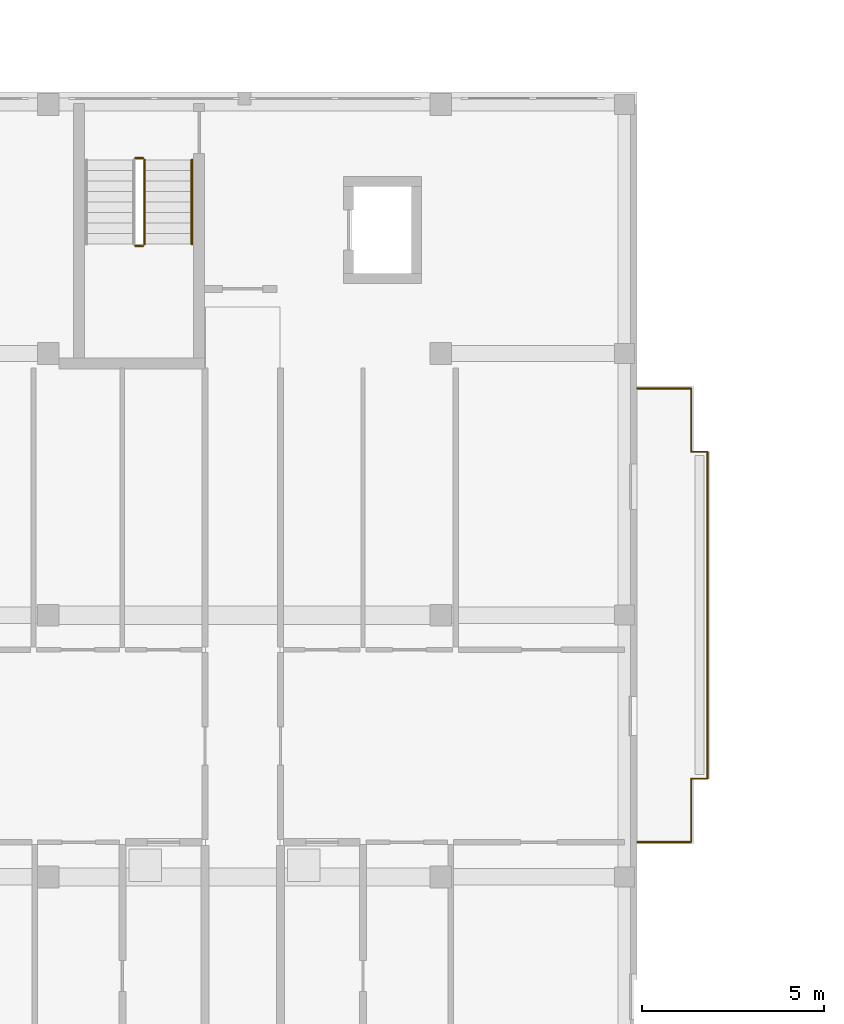
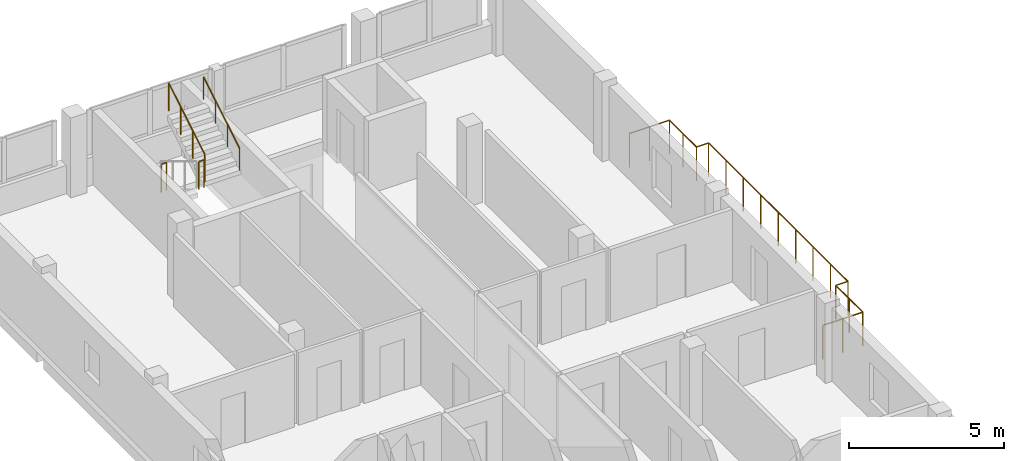
# One storey, part 31 of 41: 5 railings.
"""IFC4 building model written with IfcOpenShell, lengths in metres."""

from ifc_helpers import new_model, si_unit, derived_unit, direction, frame, origin, origin_2d, place, context, subcontext, project, spatial, circle, extrude, material, type_object, element, save


model = new_model("IFC4")

# Units and contexts
model_context = context("Model", 3, precision=1e-05, world=origin(), true_north=direction((0.0, 1.0)))
body_context = subcontext(model_context, "Body", "Model", "MODEL_VIEW")
ifc_project = project(units=[si_unit("LENGTHUNIT", "METRE"), si_unit("AREAUNIT", "SQUARE_METRE"), si_unit("VOLUMEUNIT", "CUBIC_METRE"), si_unit("PLANEANGLEUNIT", "RADIAN"), si_unit("MASSUNIT", "GRAM", prefix="KILO"), derived_unit("THERMALTRANSMITTANCEUNIT", [(si_unit("MASSUNIT", "GRAM", prefix="KILO"), 1), (si_unit("TIMEUNIT", "SECOND"), -3), (si_unit("THERMODYNAMICTEMPERATUREUNIT", "KELVIN"), -1)])], contexts=[model_context])

# Site, building, storey
site_placement = place(None, origin())
site = spatial("IfcSite", under=ifc_project, at=site_placement, CompositionType="ELEMENT")
building_placement = place(site_placement, origin())
building = spatial("IfcBuilding", under=site, at=building_placement, Name="Ochrekiln Boulevard Commons", CompositionType="ELEMENT")
storey_placement = place(building_placement, frame((0.0, 0.0, 21.52490234375)))
storey = spatial("IfcBuildingStorey", under=building, at=storey_placement, Name="L06", CompositionType="ELEMENT", Elevation=21.52490234375)

# Railings
ifc_material_1 = material(Name="Bronze-anodized extruded aluminium 6063-T6", Category="aluminium")
railing_type_1 = type_object("IfcRailingType", Name="RLG-BAL-1350", PredefinedType="BALUSTRADE", material=ifc_material_1)
railing_1_placement = place(storey_placement, frame((21.60009765625, 29.760009765625, 0.0)))
element("IfcRailing", 1, at=railing_1_placement, inside=storey, type_object=railing_type_1, Name="Block D L06 Balcony Guard Balustrade 2", PredefinedType="BALUSTRADE", context=body_context, shape_type="SweptSolid", body=[
    extrude(circle(Radius=0.02392578125, at=origin_2d()), frame((0.0, 0.0, 1.326171875), z_axis=(1.0, 0.0, 0.0), x_axis=(0.0, 1.0, 0.0)), (0.0, 0.0, 1.0), 1.489990234375),
    extrude(circle(Radius=0.02392578125, at=origin_2d()), frame((1.489990234375, 0.0, 1.326171875), z_axis=(0.0, 1.0, 0.0), x_axis=(-1.0, 0.0, 0.0)), (0.0, 0.0, 1.0), 1.739990234375),
    extrude(circle(Radius=0.02392578125, at=origin_2d()), frame((1.489990234375, 1.739990234375, 1.326171875), z_axis=(1.0, 0.0, 0.0), x_axis=(0.0, 1.0, 0.0)), (0.0, 0.0, 1.0), 0.449951171875),
    extrude(circle(Radius=0.02392578125, at=origin_2d()), frame((1.93994140625, 1.739990234375, 1.326171875), z_axis=(0.0, 1.0, 0.0), x_axis=(-1.0, 0.0, 0.0)), (0.0, 0.0, 1.0), 9.0),
    extrude(circle(Radius=0.02392578125, at=origin_2d()), frame((1.93994140625, 10.739990234375, 1.326171875), z_axis=(-1.0, 0.0, 0.0), x_axis=(0.0, -1.0, 0.0)), (0.0, 0.0, 1.0), 0.449951171875),
    extrude(circle(Radius=0.02392578125, at=origin_2d()), frame((1.489990234375, 10.739990234375, 1.326171875), z_axis=(0.0, 1.0, 0.0), x_axis=(-1.0, 0.0, 0.0)), (0.0, 0.0, 1.0), 1.739990234375),
    extrude(circle(Radius=0.02392578125, at=origin_2d()), frame((1.489990234375, 12.47998046875, 1.326171875), z_axis=(-1.0, 0.0, 0.0), x_axis=(0.0, -1.0, 0.0)), (0.0, 0.0, 1.0), 1.489990234375),
    extrude(circle(Radius=0.02099609375, at=origin_2d()), origin(), (0.0, 0.0, 1.0), 1.302001953125),
    extrude(circle(Radius=0.02099609375, at=origin_2d()), frame((0.7451171875, 0.0, 0.0)), (0.0, 0.0, 1.0), 1.302001953125),
    extrude(circle(Radius=0.02099609375, at=origin_2d()), frame((1.489990234375, 0.0, 0.0)), (0.0, 0.0, 1.0), 1.302001953125),
    extrude(circle(Radius=0.02099609375, at=origin_2d()), frame((1.489990234375, 0.8701171875, 0.0)), (0.0, 0.0, 1.0), 1.302001953125),
    extrude(circle(Radius=0.02099609375, at=origin_2d()), frame((1.489990234375, 1.739990234375, 0.0)), (0.0, 0.0, 1.0), 1.302001953125),
    extrude(circle(Radius=0.02099609375, at=origin_2d()), frame((1.93994140625, 1.739990234375, 0.0)), (0.0, 0.0, 1.0), 1.302001953125),
    extrude(circle(Radius=0.02099609375, at=origin_2d()), frame((1.93994140625, 2.864990234375, 0.0)), (0.0, 0.0, 1.0), 1.302001953125),
    extrude(circle(Radius=0.02099609375, at=origin_2d()), frame((1.93994140625, 3.989990234375, 0.0)), (0.0, 0.0, 1.0), 1.302001953125),
    extrude(circle(Radius=0.02099609375, at=origin_2d()), frame((1.93994140625, 5.114990234375, 0.0)), (0.0, 0.0, 1.0), 1.302001953125),
    extrude(circle(Radius=0.02099609375, at=origin_2d()), frame((1.93994140625, 6.239990234375, 0.0)), (0.0, 0.0, 1.0), 1.302001953125),
    extrude(circle(Radius=0.02099609375, at=origin_2d()), frame((1.93994140625, 7.364990234375, 0.0)), (0.0, 0.0, 1.0), 1.302001953125),
    extrude(circle(Radius=0.02099609375, at=origin_2d()), frame((1.93994140625, 8.489990234375, 0.0)), (0.0, 0.0, 1.0), 1.302001953125),
    extrude(circle(Radius=0.02099609375, at=origin_2d()), frame((1.93994140625, 9.614990234375, 0.0)), (0.0, 0.0, 1.0), 1.302001953125),
    extrude(circle(Radius=0.02099609375, at=origin_2d()), frame((1.93994140625, 10.739990234375, 0.0)), (0.0, 0.0, 1.0), 1.302001953125),
    extrude(circle(Radius=0.02099609375, at=origin_2d()), frame((1.489990234375, 10.739990234375, 0.0)), (0.0, 0.0, 1.0), 1.302001953125),
    extrude(circle(Radius=0.02099609375, at=origin_2d()), frame((1.489990234375, 11.60986328125, 0.0)), (0.0, 0.0, 1.0), 1.302001953125),
    extrude(circle(Radius=0.02099609375, at=origin_2d()), frame((1.489990234375, 12.47998046875, 0.0)), (0.0, 0.0, 1.0), 1.302001953125),
    extrude(circle(Radius=0.02099609375, at=origin_2d()), frame((0.7451171875, 12.47998046875, 0.0)), (0.0, 0.0, 1.0), 1.302001953125),
    extrude(circle(Radius=0.02099609375, at=origin_2d()), frame((0.0, 12.47998046875, 0.0)), (0.0, 0.0, 1.0), 1.302001953125),
])
ifc_material_2 = material(Name="Brushed stainless steel 316 tubular railing", Category="steel")
railing_type_2 = type_object("IfcRailingType", Name="RLG-HDR-900", PredefinedType="HANDRAIL", material=ifc_material_2)
railing_2_placement = place(storey_placement, frame((9.35009765625, 46.2099609375, 1.75)))
element("IfcRailing", 2, at=railing_2_placement, inside=storey, type_object=railing_type_2, Name="L06 ST-D2 stair handrail 2", PredefinedType="HANDRAIL", context=body_context, shape_type="SweptSolid", body=[
    extrude(circle(Radius=0.02392578125, at=origin_2d()), frame((0.0, 0.0, 0.8759765625), z_axis=(0.0, 0.856170481923, 0.516693435108), x_axis=(-1.0, 0.0, 0.0)), (0.0, 0.0, 1.0), 2.709716796875),
    extrude(circle(Radius=0.02099609375, at=origin_2d()), origin(), (0.0, 0.0, 1.0), 0.851806640625),
    extrude(circle(Radius=0.02099609375, at=origin_2d()), frame((0.0, 0.7734375, 0.466796875)), (0.0, 0.0, 1.0), 0.851806640625),
    extrude(circle(Radius=0.02099609375, at=origin_2d()), frame((0.0, 1.546630859375, 0.933349609375)), (0.0, 0.0, 1.0), 0.851806640625),
    extrude(circle(Radius=0.02099609375, at=origin_2d()), frame((0.0, 2.320068359375, 1.400146484375)), (0.0, 0.0, 1.0), 0.851806640625),
])
railing_type_3 = type_object("IfcRailingType", Name="RLG-STR-1120", PredefinedType="BALUSTRADE", material=ifc_material_2)
railing_3_placement = place(storey_placement, frame((7.800048828125, 46.159912109375, 1.5751953125)))
element("IfcRailing", 3, at=railing_3_placement, inside=storey, type_object=railing_type_3, Name="L06 ST-D2 stair guard 2", PredefinedType="BALUSTRADE", context=body_context, shape_type="SweptSolid", body=[
    extrude(circle(Radius=0.02392578125, at=origin_2d()), frame((0.0, 0.0, 1.09619140625), z_axis=(1.0, 0.0, 0.0), x_axis=(0.0, 1.0, 0.0)), (0.0, 0.0, 1.0), 0.199951171875),
    extrude(circle(Radius=0.02099609375, at=origin_2d()), origin(), (0.0, 0.0, 1.0), 1.072021484375),
    extrude(circle(Radius=0.02099609375, at=origin_2d()), frame((0.199951171875, 0.0, 0.0)), (0.0, 0.0, 1.0), 1.072021484375),
])
railing_4_placement = place(storey_placement, frame((8.050048828125, 46.2099609375, 1.75)))
element("IfcRailing", 4, at=railing_4_placement, inside=storey, type_object=railing_type_3, Name="L06 ST-D2 stair guard 3", PredefinedType="BALUSTRADE", context=body_context, shape_type="SweptSolid", body=[
    extrude(circle(Radius=0.02392578125, at=origin_2d()), frame((0.0, 0.0, 1.09619140625), z_axis=(0.0, 0.856170481923, 0.516693435108), x_axis=(-1.0, 0.0, 0.0)), (0.0, 0.0, 1.0), 2.709716796875),
    extrude(circle(Radius=0.02099609375, at=origin_2d()), origin(), (0.0, 0.0, 1.0), 1.072021484375),
    extrude(circle(Radius=0.02099609375, at=origin_2d()), frame((0.0, 0.7734375, 0.466796875)), (0.0, 0.0, 1.0), 1.072021484375),
    extrude(circle(Radius=0.02099609375, at=origin_2d()), frame((0.0, 1.546630859375, 0.933349609375)), (0.0, 0.0, 1.0), 1.072021484375),
    extrude(circle(Radius=0.02099609375, at=origin_2d()), frame((0.0, 2.320068359375, 1.400146484375)), (0.0, 0.0, 1.0), 1.072021484375),
])
railing_5_placement = place(storey_placement, frame((7.800048828125, 48.580078125, 0.0)))
element("IfcRailing", 5, at=railing_5_placement, inside=storey, type_object=railing_type_3, Name="L06 ST-D2 stair guard 4", PredefinedType="BALUSTRADE", context=body_context, shape_type="SweptSolid", body=[
    extrude(circle(Radius=0.02392578125, at=origin_2d()), frame((0.0, 0.0, 1.09619140625), z_axis=(1.0, 0.0, 0.0), x_axis=(0.0, 1.0, 0.0)), (0.0, 0.0, 1.0), 0.199951171875),
    extrude(circle(Radius=0.02099609375, at=origin_2d()), origin(), (0.0, 0.0, 1.0), 1.072021484375),
    extrude(circle(Radius=0.02099609375, at=origin_2d()), frame((0.199951171875, 0.0, 0.0)), (0.0, 0.0, 1.0), 1.072021484375),
])

save(model, "model.ifc")
